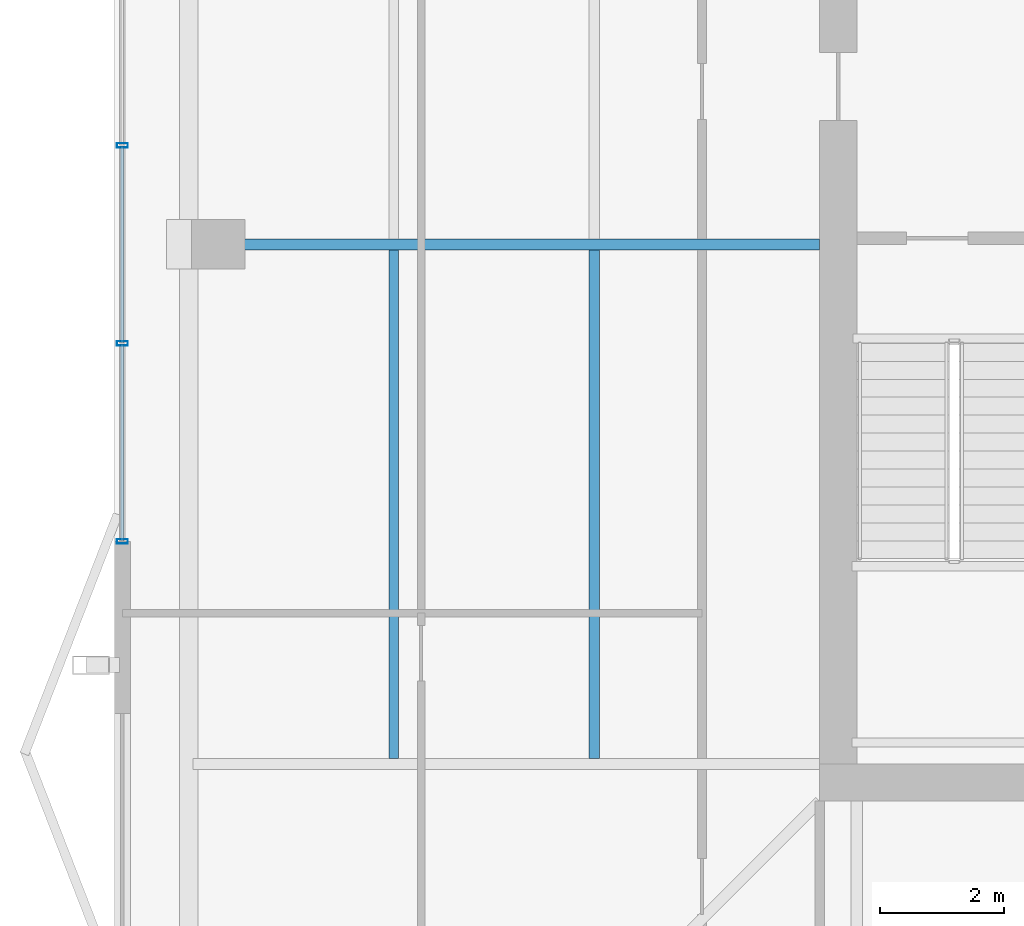
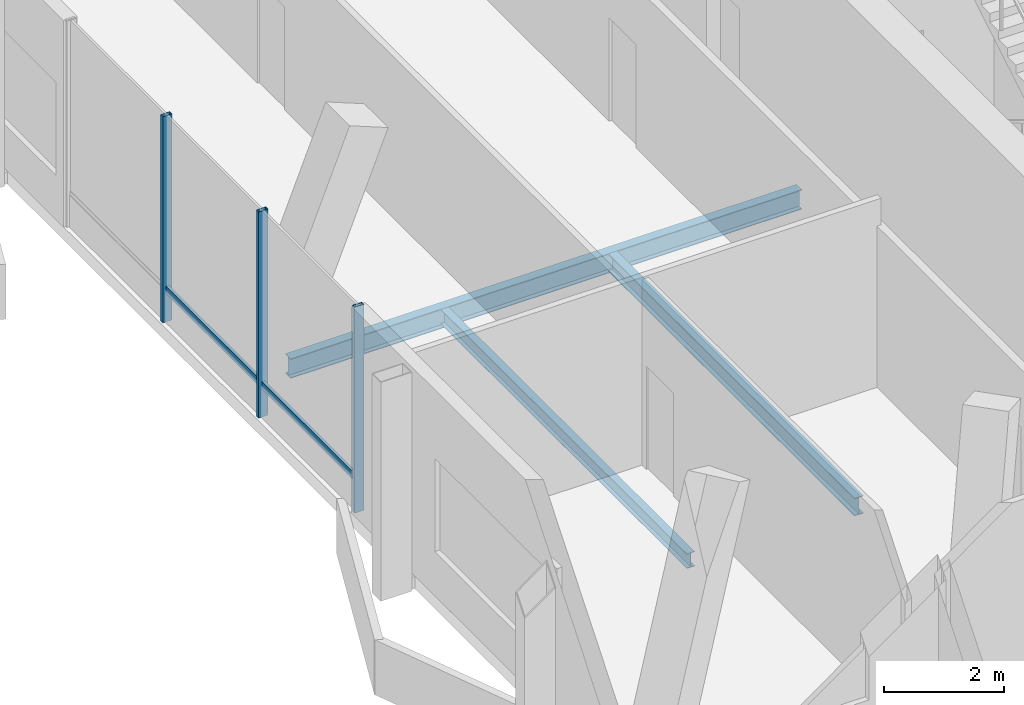
# One storey, part 4 of 16: 5 members, 3 beams, 1 element without a shape of its own.
"""IFC4 building model written with IfcOpenShell, lengths in metres."""

from ifc_helpers import new_model, si_unit, direction, frame, origin, origin_2d, place, context, subcontext, project, spatial, hollow_rectangle, i_section, extrude, material, layer, layer_set, material_profile, profile_set, type_object, element, aggregate, save


model = new_model("IFC4")

# Units and contexts
model_context = context("Model", 3, precision=1e-05, world=origin(), true_north=direction((0.0, 1.0)))
body_context = subcontext(model_context, "Body", "Model", "MODEL_VIEW")
ifc_project = project(units=[si_unit("LENGTHUNIT", "METRE"), si_unit("AREAUNIT", "SQUARE_METRE"), si_unit("VOLUMEUNIT", "CUBIC_METRE"), si_unit("PLANEANGLEUNIT", "RADIAN"), si_unit("MASSUNIT", "GRAM", prefix="KILO")], contexts=[model_context])

# Site, building, storey
site_placement = place(None, origin())
site = spatial("IfcSite", under=ifc_project, at=site_placement, CompositionType="ELEMENT")
building_placement = place(site_placement, origin())
building = spatial("IfcBuilding", under=site, at=building_placement, Name="Belovzor Exchange Tower", CompositionType="ELEMENT")
storey_placement = place(building_placement, frame((0.0, 0.0, 364.5)))
storey = spatial("IfcBuildingStorey", under=building, at=storey_placement, Name="L91", CompositionType="ELEMENT", Elevation=364.5)

# Beams
ifc_material_1 = material(Name="Steel S355", Category="steel")
ifc_material_profile_1 = material_profile(ifc_material_1, i_section(OverallWidth=0.169921875, OverallDepth=0.360107421875, WebThickness=0.008056640625, FlangeThickness=0.0126953125, at=origin_2d()))
ifc_profile_set_1 = profile_set([ifc_material_profile_1], Name="Steel S355")
beam_type_1 = type_object("IfcBeamType", Name="Secondary Infill Floor Joist IPE 360", PredefinedType="BEAM", material=ifc_profile_set_1)
beam_1_placement = place(storey_placement, frame((16.155029296875, 20.489990234375, -0.43994140625), z_axis=(0.0, 1.0, 0.0), x_axis=(-1.0, 0.0, 0.0)))
element("IfcBeam", 1, at=beam_1_placement, inside=storey, type_object=beam_type_1, Name="FJ-360 Secondary Infill Floor Joist IPE 360", PredefinedType="BEAM", context=body_context, shape_type="SweptSolid", body=[
    extrude(i_section(OverallWidth=0.169921875, OverallDepth=0.360107421875, WebThickness=0.008056640625, FlangeThickness=0.0126953125, at=origin_2d()), origin(), (0.0, 0.0, 1.0), 8.219970703125),
])
ifc_material_2 = material(Name="Steel S355", Category="steel")
ifc_material_profile_2 = material_profile(ifc_material_2, i_section(OverallWidth=0.14990234375, OverallDepth=0.300048828125, WebThickness=0.007080078125, FlangeThickness=0.0107421875, at=origin_2d()))
ifc_profile_set_2 = profile_set([ifc_material_profile_2], Name="Steel S355")
beam_type_2 = type_object("IfcBeamType", Name="Secondary Trim Floor Joist IPE 300", PredefinedType="BEAM", material=ifc_profile_set_2)
beam_2_placement = place(storey_placement, frame((12.9150390625, 20.489990234375, -0.409912109375), z_axis=(0.0, 1.0, 0.0), x_axis=(-1.0, 0.0, 0.0)))
element("IfcBeam", 2, at=beam_2_placement, inside=storey, type_object=beam_type_2, Name="FJ-300 Secondary Trim Floor Joist IPE 300", PredefinedType="BEAM", context=body_context, shape_type="SweptSolid", body=[
    extrude(i_section(OverallWidth=0.14990234375, OverallDepth=0.300048828125, WebThickness=0.007080078125, FlangeThickness=0.0107421875, at=origin_2d()), origin(), (0.0, 0.0, 1.0), 8.219970703125),
])

# Curtain wall, members
ifc_material_3 = material(Name="Anodised Aluminium Framing", Category="aluminium")
ifc_layer = layer(ifc_material_3, 0.169921875)
ifc_layer_set = layer_set([ifc_layer], Name="Anodised Aluminium Framing")
curtain_wall_type = type_object("IfcCurtainWallType", Name="Stepped Crown Faceted Lantern Curtain Wall", PredefinedType="NOTDEFINED", material=ifc_layer_set)
curtain_wall_placement = place(storey_placement, origin())
curtain_wall = element("IfcCurtainWall", 3, at=curtain_wall_placement, inside=storey, type_object=curtain_wall_type, Name="CW6 Stepped Crown Faceted Lantern Curtain Wall L91", PredefinedType="NOTDEFINED")
ifc_material_4 = material(Name="Steel S355", Category="steel")
ifc_material_profile_3 = material_profile(ifc_material_4, hollow_rectangle(XDim=0.074951171875, YDim=0.179931640625, WallThickness=0.0048828125, at=origin_2d()))
ifc_profile_set_3 = profile_set([ifc_material_profile_3], Name="Steel S355")
member_type_1 = type_object("IfcMemberType", Name="Thermally Broken Curtain Wall Mullion 180x75", PredefinedType="MULLION", material=ifc_profile_set_3)
member_1_placement = place(storey_placement, frame((8.530029296875, 24.0, 0.0), z_axis=(0.0, 0.0, 1.0), x_axis=(0.0, 1.0, 0.0)))
member_1 = element("IfcMember", 4, at=member_1_placement, type_object=member_type_1, Name="CW-M180 Curtain Wall Mullion 1", PredefinedType="MULLION", context=body_context, shape_type="SweptSolid", body=[
    extrude(hollow_rectangle(XDim=0.074951171875, YDim=0.179931640625, WallThickness=0.0048828125, at=origin_2d()), origin(), (0.0, 0.0, 1.0), 4.199951171875),
])
member_2_placement = place(storey_placement, frame((8.530029296875, 27.199951171875, 0.0), z_axis=(0.0, 0.0, 1.0), x_axis=(0.0, 1.0, 0.0)))
member_2 = element("IfcMember", 5, at=member_2_placement, type_object=member_type_1, Name="CW-M180 Curtain Wall Mullion 2", PredefinedType="MULLION", context=body_context, shape_type="SweptSolid", body=[
    extrude(hollow_rectangle(XDim=0.074951171875, YDim=0.179931640625, WallThickness=0.0048828125, at=origin_2d()), origin(), (0.0, 0.0, 1.0), 4.199951171875),
])
member_3_placement = place(storey_placement, frame((8.530029296875, 30.39990234375, 0.0), z_axis=(0.0, 0.0, 1.0), x_axis=(0.0, 1.0, 0.0)))
member_3 = element("IfcMember", 6, at=member_3_placement, type_object=member_type_1, Name="CW-M180 Curtain Wall Mullion 3", PredefinedType="MULLION", context=body_context, shape_type="SweptSolid", body=[
    extrude(hollow_rectangle(XDim=0.074951171875, YDim=0.179931640625, WallThickness=0.0048828125, at=origin_2d()), origin(), (0.0, 0.0, 1.0), 4.199951171875),
])
ifc_material_5 = material(Name="Steel S355", Category="steel")
ifc_material_profile_4 = material_profile(ifc_material_5, hollow_rectangle(XDim=0.06005859375, YDim=0.14990234375, WallThickness=0.00390625, at=origin_2d()))
ifc_profile_set_4 = profile_set([ifc_material_profile_4], Name="Steel S355")
member_type_2 = type_object("IfcMemberType", Name="Thermally Broken Curtain Wall Transom 150x60", PredefinedType="USERDEFINED", material=ifc_profile_set_4)
member_4_placement = place(storey_placement, frame((8.530029296875, 24.008056640625, 0.64990234375), z_axis=(0.0, 1.0, 0.0), x_axis=(-1.0, 0.0, 0.0)))
member_4 = element("IfcMember", 7, at=member_4_placement, type_object=member_type_2, Name="CW-T150 Curtain Wall Transom 1", ObjectType="TRANSOM", PredefinedType="USERDEFINED", context=body_context, shape_type="SweptSolid", body=[
    extrude(hollow_rectangle(XDim=0.06005859375, YDim=0.14990234375, WallThickness=0.00390625, at=origin_2d()), origin(), (0.0, 0.0, 1.0), 3.183837890625),
])
member_5_placement = place(storey_placement, frame((8.530029296875, 27.2080078125, 0.64990234375), z_axis=(0.0, 1.0, 0.0), x_axis=(-1.0, 0.0, 0.0)))
member_5 = element("IfcMember", 8, at=member_5_placement, type_object=member_type_2, Name="CW-T150 Curtain Wall Transom 2", ObjectType="TRANSOM", PredefinedType="USERDEFINED", context=body_context, shape_type="SweptSolid", body=[
    extrude(hollow_rectangle(XDim=0.06005859375, YDim=0.14990234375, WallThickness=0.00390625, at=origin_2d()), origin(), (0.0, 0.0, 1.0), 3.18408203125),
])
aggregate(curtain_wall, [member_1, member_2, member_3, member_4, member_5])

# Beam
ifc_material_6 = material(Name="Steel S355", Category="steel")
ifc_material_profile_5 = material_profile(ifc_material_6, i_section(OverallWidth=0.179931640625, OverallDepth=0.39990234375, WebThickness=0.008544921875, FlangeThickness=0.013427734375, at=origin_2d()))
ifc_profile_set_5 = profile_set([ifc_material_profile_5], Name="Steel S355")
beam_type_3 = type_object("IfcBeamType", Name="Zone 5-6 Radial Composite Floor Beam IPE 400", PredefinedType="BEAM", material=ifc_profile_set_5)
beam_3_placement = place(storey_placement, frame((19.800048828125, 28.800048828125, -0.4599609375), z_axis=(-1.0, 0.0, 0.0), x_axis=(0.0, -1.0, 0.0)))
element("IfcBeam", 9, at=beam_3_placement, inside=storey, type_object=beam_type_3, Name="FB-400 Zone 5-6 Radial Composite Floor Beam IPE 400", PredefinedType="BEAM", context=body_context, shape_type="SweptSolid", body=[
    extrude(i_section(OverallWidth=0.179931640625, OverallDepth=0.39990234375, WebThickness=0.008544921875, FlangeThickness=0.013427734375, at=origin_2d()), origin(), (0.0, 0.0, 1.0), 9.84814453125),
])

save(model, "model.ifc")
